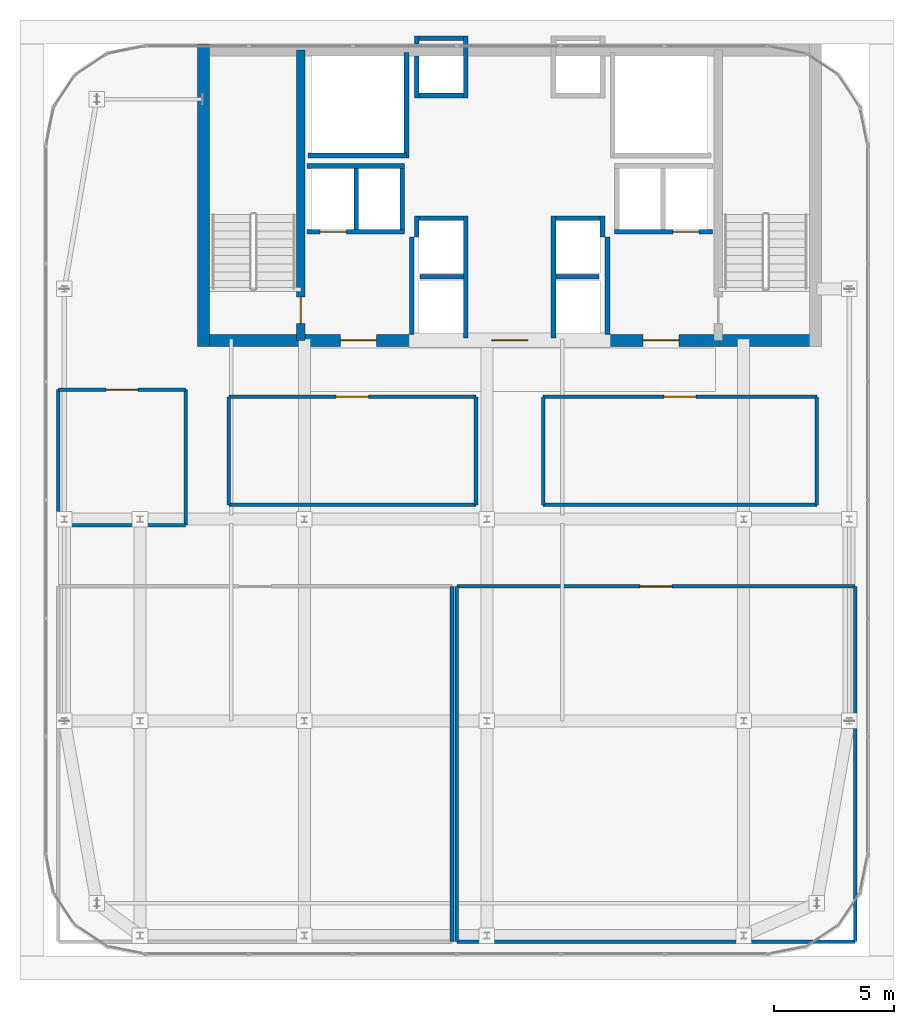
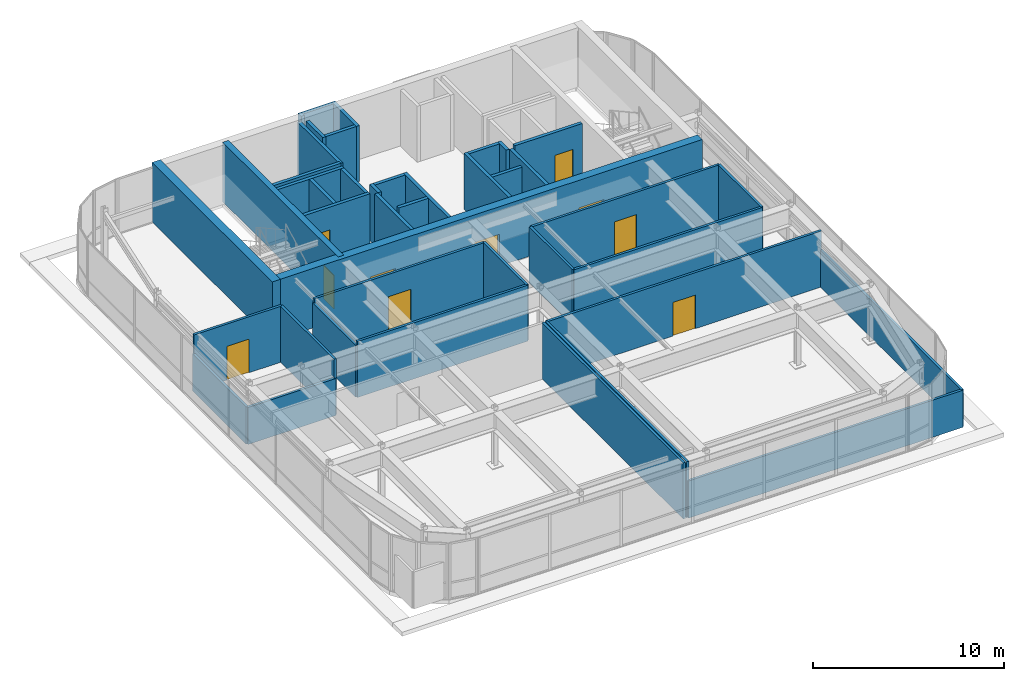
# One storey, part 33 of 35: 42 walls, 10 doors, 10 openings.
"""IFC4 building model written with IfcOpenShell, lengths in metres."""

from ifc_helpers import new_model, si_unit, direction, frame, frame_2d, origin, place, context, subcontext, project, spatial, rectangle, extrude, source, transform, mapped, material, layer, layer_set, type_object, type_shapes, element, fill, save


model = new_model("IFC4")

# Units and contexts
model_context = context("Model", 3, precision=1e-05, world=origin(), true_north=direction((0.0, 1.0)))
body_context = subcontext(model_context, "Body", "Model", "MODEL_VIEW")
ifc_project = project(units=[si_unit("LENGTHUNIT", "METRE"), si_unit("AREAUNIT", "SQUARE_METRE"), si_unit("VOLUMEUNIT", "CUBIC_METRE"), si_unit("PLANEANGLEUNIT", "RADIAN"), si_unit("MASSUNIT", "GRAM", prefix="KILO")], contexts=[model_context])

# Site, building, storey
site_placement = place(None, origin())
site = spatial("IfcSite", under=ifc_project, at=site_placement, CompositionType="ELEMENT")
building_placement = place(site_placement, origin())
building = spatial("IfcBuilding", under=site, at=building_placement, Name="Tolvann Quenvar Hotel", CompositionType="ELEMENT")
storey_placement = place(building_placement, frame((0.0, 0.0, 290.949951171875)))
storey = spatial("IfcBuildingStorey", under=building, at=storey_placement, Name="L77", CompositionType="ELEMENT", Elevation=290.949951171875)

# Wall, openings, doors
ifc_material_1 = material(Name="Concrete N50 (50 MPa)", Category="concrete")
ifc_layer_1 = layer(ifc_material_1, 0.5)
ifc_layer_set_1 = layer_set([ifc_layer_1], Name="Concrete N50 (50 MPa)")
wall_type_1 = type_object("IfcWallType", Name="WALL_CORE_500", PredefinedType="SHEAR", material=ifc_layer_set_1)
wall_1_placement = place(storey_placement, frame((10.0, 31.85009765625, 0.0), z_axis=(0.0, 0.0, 1.0), x_axis=(1.0, 0.0, 0.0)))
wall_1 = element("IfcWall", 1, at=wall_1_placement, inside=storey, type_object=wall_type_1, Name="Rear Core S Shear Wall (L77)", PredefinedType="SHEAR", context=body_context, shape_type="SweptSolid", body=[
    extrude(rectangle(XDim=26.0, YDim=0.5, at=frame_2d((13.0, 0.0))), origin(), (0.0, 0.0, 1.0), 3.800048828125),
])
opening_1_placement = place(wall_1_placement, frame((7.449951171875, 0.0, 0.0), z_axis=(0.0, 0.0, 1.0), x_axis=(-1.0, 0.0, 0.0)))
opening_1 = element("IfcOpeningElement", 2, at=opening_1_placement, cuts=wall_1, Name="Opening FD-60D", PredefinedType="OPENING", context=body_context, shape_type="SweptSolid", body=[
    extrude(rectangle(XDim=1.5, YDim=2.0400390625, at=frame_2d((0.75, 1.02001953125))), frame((0.0, 0.260009765625, 0.0), z_axis=(0.0, -1.0, 0.0), x_axis=(1.0, 0.0, 0.0)), (0.0, 0.0, 1.0), 0.52001953125),
])
opening_2_placement = place(wall_1_placement, frame((13.75, 0.0, 0.0), z_axis=(0.0, 0.0, 1.0), x_axis=(-1.0, 0.0, 0.0)))
opening_2 = element("IfcOpeningElement", 3, at=opening_2_placement, cuts=wall_1, Name="Opening FD-60D", PredefinedType="OPENING", context=body_context, shape_type="SweptSolid", body=[
    extrude(rectangle(XDim=1.5, YDim=2.0400390625, at=frame_2d((0.75, 1.02001953125))), frame((0.0, 0.260009765625, 0.0), z_axis=(0.0, -1.0, 0.0), x_axis=(1.0, 0.0, 0.0)), (0.0, 0.0, 1.0), 0.52001953125),
])
opening_3_placement = place(wall_1_placement, frame((20.050048828125, 0.0, 0.0), z_axis=(0.0, 0.0, 1.0), x_axis=(-1.0, 0.0, 0.0)))
opening_3 = element("IfcOpeningElement", 4, at=opening_3_placement, cuts=wall_1, Name="Opening FD-60D", PredefinedType="OPENING", context=body_context, shape_type="SweptSolid", body=[
    extrude(rectangle(XDim=1.5, YDim=2.0400390625, at=frame_2d((0.75, 1.02001953125))), frame((0.0, 0.260009765625, 0.0), z_axis=(0.0, -1.0, 0.0), x_axis=(1.0, 0.0, 0.0)), (0.0, 0.0, 1.0), 0.52001953125),
])
ifc_material_2 = material(Name="Solid-core American oak acoustic fire door leaf in steel frame", Category="steel")
door_type_1 = type_object("IfcDoorType", Name="DOOR_FIRE_LOBBY_1500", OperationType="NOTDEFINED", PredefinedType="DOOR", material=ifc_material_2)
shared_shape_1 = source(origin(), body_context, "Body", "SweptSolid", [
    extrude(rectangle(XDim=1.5, YDim=2.0400390625, at=frame_2d((0.75, 1.02001953125))), frame((0.0, 0.02490234375, 0.0), z_axis=(0.0, -1.0, 0.0), x_axis=(1.0, 0.0, 0.0)), (0.0, 0.0, 1.0), 0.050048828125),
])
type_shapes(door_type_1, [shared_shape_1])
door_1_placement = place(opening_1_placement, origin())
door_1 = element("IfcDoor", 5, at=door_1_placement, inside=storey, type_object=door_type_1, Name="Core Lobby Fire Door FFW (L77)", OperationType="DOUBLE_DOOR_SINGLE_SWING", OverallHeight=2.0400390625, OverallWidth=1.5, PredefinedType="DOOR", context=body_context, shape_type="MappedRepresentation", body=[
    mapped(shared_shape_1, transform((0.0, 0.0, 0.0), x_axis=(1.0, 0.0, 0.0), y_axis=(0.0, 1.0, 0.0), z_axis=(0.0, 0.0, 1.0), scale=1.0)),
])
fill(opening_1, door_1)
door_2_placement = place(opening_2_placement, origin())
door_2 = element("IfcDoor", 6, at=door_2_placement, inside=storey, type_object=door_type_1, Name="Core Lobby Fire Door CLOB (L77)", OperationType="DOUBLE_DOOR_SINGLE_SWING", OverallHeight=2.0400390625, OverallWidth=1.5, PredefinedType="DOOR", context=body_context, shape_type="MappedRepresentation", body=[
    mapped(shared_shape_1, transform((0.0, 0.0, 0.0), x_axis=(1.0, 0.0, 0.0), y_axis=(0.0, 1.0, 0.0), z_axis=(0.0, 0.0, 1.0), scale=1.0)),
])
fill(opening_2, door_2)
door_3_placement = place(opening_3_placement, origin())
door_3 = element("IfcDoor", 7, at=door_3_placement, inside=storey, type_object=door_type_1, Name="Core Lobby Fire Door FFE (L77)", OperationType="DOUBLE_DOOR_SINGLE_SWING", OverallHeight=2.0400390625, OverallWidth=1.5, PredefinedType="DOOR", context=body_context, shape_type="MappedRepresentation", body=[
    mapped(shared_shape_1, transform((0.0, 0.0, 0.0), x_axis=(1.0, 0.0, 0.0), y_axis=(0.0, 1.0, 0.0), z_axis=(0.0, 0.0, 1.0), scale=1.0)),
])
fill(opening_3, door_3)

# Wall
wall_2_placement = place(storey_placement, frame((10.25, 31.60009765625, 0.0), z_axis=(0.0, 0.0, 1.0), x_axis=(0.0, 1.0, 0.0)))
element("IfcWall", 8, at=wall_2_placement, inside=storey, type_object=wall_type_1, Name="Rear Core W Shear Wall (L77)", PredefinedType="SHEAR", context=body_context, shape_type="SweptSolid", body=[
    extrude(rectangle(XDim=12.599853515625, YDim=0.5, at=frame_2d((6.2998046875, 0.0))), origin(), (0.0, 0.0, 1.0), 3.800048828125),
])

# Wall, opening, door
ifc_material_3 = material(Name="Concrete S65 (65 MPa)", Category="concrete")
ifc_layer_2 = layer(ifc_material_3, 0.35009765625)
ifc_layer_set_2 = layer_set([ifc_layer_2], Name="Concrete S65 (65 MPa)")
wall_type_2 = type_object("IfcWallType", Name="WALL_CORE_INT_350", PredefinedType="SHEAR", material=ifc_layer_set_2)
wall_3_placement = place(storey_placement, frame((14.300048828125, 31.85009765625, 0.0), z_axis=(0.0, 0.0, 1.0), x_axis=(0.0, 1.0, 0.0)))
wall_3 = element("IfcWall", 9, at=wall_3_placement, inside=storey, type_object=wall_type_2, Name="Core Internal Web Shear Wall WEB-W (L77)", PredefinedType="SHEAR", context=body_context, shape_type="SweptSolid", body=[
    extrude(rectangle(XDim=12.099853515625, YDim=0.35009765625, at=frame_2d((6.0498046875, 0.0))), origin(), (0.0, 0.0, 1.0), 3.800048828125),
])
opening_4_placement = place(wall_3_placement, frame((0.699951171875, 0.0, 0.0)))
opening_4 = element("IfcOpeningElement", 10, at=opening_4_placement, cuts=wall_3, Name="Opening FD-120", PredefinedType="OPENING", context=body_context, shape_type="SweptSolid", body=[
    extrude(rectangle(XDim=1.10009765625, YDim=2.1201171875, at=frame_2d((0.550048828125, 1.06005859375))), frame((0.0, 0.18505859375, 0.0), z_axis=(0.0, -1.0, 0.0), x_axis=(1.0, 0.0, 0.0)), (0.0, 0.0, 1.0), 0.3701171875),
])
ifc_material_4 = material(Name="Pressed galvanised steel fire-rated door set", Category="steel")
door_type_2 = type_object("IfcDoorType", Name="DOOR_FIRE_STAIR_1100", OperationType="NOTDEFINED", PredefinedType="DOOR", material=ifc_material_4)
shared_shape_2 = source(origin(), body_context, "Body", "SweptSolid", [
    extrude(rectangle(XDim=1.10009765625, YDim=2.1201171875, at=frame_2d((0.550048828125, 1.06005859375))), frame((0.0, 0.02490234375, 0.0), z_axis=(0.0, -1.0, 0.0), x_axis=(1.0, 0.0, 0.0)), (0.0, 0.0, 1.0), 0.050048828125),
])
type_shapes(door_type_2, [shared_shape_2])
door_4_placement = place(opening_4_placement, origin())
door_4 = element("IfcDoor", 11, at=door_4_placement, inside=storey, type_object=door_type_2, Name="Exit Stair ST-C1 Fire Door (L77)", OperationType="SINGLE_SWING_LEFT", OverallHeight=2.1201171875, OverallWidth=1.10009765625, PredefinedType="DOOR", context=body_context, shape_type="MappedRepresentation", body=[
    mapped(shared_shape_2, transform((0.0, 0.0, 0.0), x_axis=(1.0, 0.0, 0.0), y_axis=(0.0, 1.0, 0.0), z_axis=(0.0, 0.0, 1.0), scale=1.0)),
])
fill(opening_4, door_4)

# Walls
ifc_material_5 = material(Name="Acoustic twin-stud fire-rated gypsum plasterboard partition")
ifc_layer_3 = layer(ifc_material_5, 0.14990234375)
ifc_layer_set_3 = layer_set([ifc_layer_3], Name="Acoustic twin-stud fire-rated gypsum plasterboard partition")
wall_type_3 = type_object("IfcWallType", Name="WALL_PART_SUITE_150", PredefinedType="PARTITIONING", material=ifc_layer_set_3)
wall_4_placement = place(storey_placement, frame((20.60009765625, 6.800048828125, 0.0), z_axis=(0.0, 0.0, 1.0), x_axis=(0.0, 1.0, 0.0)))
element("IfcWall", 12, at=wall_4_placement, inside=storey, type_object=wall_type_3, Name="Interior Partition PT-SPC-L77-CWCHIL-E", PredefinedType="PARTITIONING", context=body_context, shape_type="SweptSolid", body=[
    extrude(rectangle(XDim=14.800048828125, YDim=0.14990234375, at=frame_2d((7.39990234375, 0.0))), origin(), (0.0, 0.0, 1.0), 3.580078125),
])
wall_5_placement = place(storey_placement, frame((20.800048828125, 6.800048828125, 0.0), z_axis=(0.0, 0.0, 1.0), x_axis=(1.0, 0.0, 0.0)))
element("IfcWall", 13, at=wall_5_placement, inside=storey, type_object=wall_type_3, Name="Interior Partition PT-SPC-L77-LMR-S", PredefinedType="PARTITIONING", context=body_context, shape_type="SweptSolid", body=[
    extrude(rectangle(XDim=16.599853515625, YDim=0.14990234375, at=frame_2d((8.2998046875, 0.0))), origin(), (0.0, 0.0, 1.0), 2.3701171875),
])

# Wall, opening, door
wall_6_placement = place(storey_placement, frame((20.800048828125, 21.60009765625, 0.0), z_axis=(0.0, 0.0, 1.0), x_axis=(1.0, 0.0, 0.0)))
wall_6 = element("IfcWall", 14, at=wall_6_placement, inside=storey, type_object=wall_type_3, Name="Interior Partition PT-SPC-L77-LMR-N", PredefinedType="PARTITIONING", context=body_context, shape_type="SweptSolid", body=[
    extrude(rectangle(XDim=16.599853515625, YDim=0.14990234375, at=frame_2d((8.2998046875, 0.0))), origin(), (0.0, 0.0, 1.0), 3.580078125),
])
opening_5_placement = place(wall_6_placement, frame((7.625, 0.0, 0.0)))
opening_5 = element("IfcOpeningElement", 15, at=opening_5_placement, cuts=wall_6, Name="Opening PD-01", PredefinedType="OPENING", context=body_context, shape_type="SweptSolid", body=[
    extrude(rectangle(XDim=1.35009765625, YDim=2.14990234375, at=frame_2d((0.675048828125, 1.074951171875))), frame((0.0, 0.0849609375, 0.0), z_axis=(0.0, -1.0, 0.0), x_axis=(1.0, 0.0, 0.0)), (0.0, 0.0, 1.0), 0.169921875),
])
door_type_3 = type_object("IfcDoorType", Name="DOOR_PLANT_1350", OperationType="NOTDEFINED", PredefinedType="DOOR", material=ifc_material_4)
shared_shape_3 = source(origin(), body_context, "Body", "SweptSolid", [
    extrude(rectangle(XDim=1.35009765625, YDim=2.14990234375, at=frame_2d((0.675048828125, 1.074951171875))), frame((0.0, 0.02490234375, 0.0), z_axis=(0.0, -1.0, 0.0), x_axis=(1.0, 0.0, 0.0)), (0.0, 0.0, 1.0), 0.050048828125),
])
type_shapes(door_type_3, [shared_shape_3])
door_5_placement = place(opening_5_placement, origin())
door_5 = element("IfcDoor", 16, at=door_5_placement, inside=storey, type_object=door_type_3, Name="Interior Door DOOR-SPC-L77-LMR", OperationType="DOUBLE_DOOR_SINGLE_SWING", OverallHeight=2.14990234375, OverallWidth=1.35009765625, PredefinedType="DOOR", context=body_context, shape_type="MappedRepresentation", body=[
    mapped(shared_shape_3, transform((0.0, 0.0, 0.0), x_axis=(1.0, 0.0, 0.0), y_axis=(0.0, 1.0, 0.0), z_axis=(0.0, 0.0, 1.0), scale=1.0)),
])
fill(opening_5, door_5)

# Walls
wall_7_placement = place(storey_placement, frame((20.800048828125, 6.800048828125, 0.0), z_axis=(0.0, 0.0, 1.0), x_axis=(0.0, 1.0, 0.0)))
element("IfcWall", 17, at=wall_7_placement, inside=storey, type_object=wall_type_3, Name="Interior Partition PT-SPC-L77-LMR-W", PredefinedType="PARTITIONING", context=body_context, shape_type="SweptSolid", body=[
    extrude(rectangle(XDim=14.800048828125, YDim=0.14990234375, at=frame_2d((7.39990234375, 0.0))), origin(), (0.0, 0.0, 1.0), 3.580078125),
])
wall_8_placement = place(storey_placement, frame((37.39990234375, 6.800048828125, 0.0), z_axis=(0.0, 0.0, 1.0), x_axis=(0.0, 1.0, 0.0)))
element("IfcWall", 18, at=wall_8_placement, inside=storey, type_object=wall_type_3, Name="Interior Partition PT-SPC-L77-LMR-E", PredefinedType="PARTITIONING", context=body_context, shape_type="SweptSolid", body=[
    extrude(rectangle(XDim=14.800048828125, YDim=0.14990234375, at=frame_2d((7.39990234375, 0.0))), origin(), (0.0, 0.0, 1.0), 2.3701171875),
])
wall_9_placement = place(storey_placement, frame((4.199951171875, 24.14990234375, 0.0), z_axis=(0.0, 0.0, 1.0), x_axis=(1.0, 0.0, 0.0)))
element("IfcWall", 19, at=wall_9_placement, inside=storey, type_object=wall_type_3, Name="Interior Partition PT-SPC-L77-EXH-ENT", PredefinedType="PARTITIONING", context=body_context, shape_type="SweptSolid", body=[
    extrude(rectangle(XDim=5.300048828125, YDim=0.14990234375, at=frame_2d((2.64990234375, 0.0))), origin(), (0.0, 0.0, 1.0), 2.3701171875),
])

# Wall, opening, door
wall_10_placement = place(storey_placement, frame((4.199951171875, 29.800048828125, 0.0), z_axis=(0.0, 0.0, 1.0), x_axis=(1.0, 0.0, 0.0)))
wall_10 = element("IfcWall", 20, at=wall_10_placement, inside=storey, type_object=wall_type_3, Name="Interior Partition PT-SPC-L77-EXH-N", PredefinedType="PARTITIONING", context=body_context, shape_type="SweptSolid", body=[
    extrude(rectangle(XDim=5.300048828125, YDim=0.14990234375, at=frame_2d((2.64990234375, 0.0))), origin(), (0.0, 0.0, 1.0), 3.580078125),
])
opening_6_placement = place(wall_10_placement, frame((1.97509765625, 0.0, 0.0)))
opening_6 = element("IfcOpeningElement", 21, at=opening_6_placement, cuts=wall_10, Name="Opening PD-01", PredefinedType="OPENING", context=body_context, shape_type="SweptSolid", body=[
    extrude(rectangle(XDim=1.35009765625, YDim=2.14990234375, at=frame_2d((0.675048828125, 1.074951171875))), frame((0.0, 0.0849609375, 0.0), z_axis=(0.0, -1.0, 0.0), x_axis=(1.0, 0.0, 0.0)), (0.0, 0.0, 1.0), 0.169921875),
])
door_6_placement = place(opening_6_placement, origin())
door_6 = element("IfcDoor", 22, at=door_6_placement, inside=storey, type_object=door_type_3, Name="Interior Door DOOR-SPC-L77-EXH", OperationType="DOUBLE_DOOR_SINGLE_SWING", OverallHeight=2.14990234375, OverallWidth=1.35009765625, PredefinedType="DOOR", context=body_context, shape_type="MappedRepresentation", body=[
    mapped(shared_shape_3, transform((0.0, 0.0, 0.0), x_axis=(1.0, 0.0, 0.0), y_axis=(0.0, 1.0, 0.0), z_axis=(0.0, 0.0, 1.0), scale=1.0)),
])
fill(opening_6, door_6)

# Walls
wall_11_placement = place(storey_placement, frame((4.199951171875, 24.14990234375, 0.0), z_axis=(0.0, 0.0, 1.0), x_axis=(0.0, 1.0, 0.0)))
element("IfcWall", 23, at=wall_11_placement, inside=storey, type_object=wall_type_3, Name="Interior Partition PT-SPC-L77-EXH-W", PredefinedType="PARTITIONING", context=body_context, shape_type="SweptSolid", body=[
    extrude(rectangle(XDim=5.650146484375, YDim=0.14990234375, at=frame_2d((2.8251953125, 0.0))), origin(), (0.0, 0.0, 1.0), 2.3701171875),
])
wall_12_placement = place(storey_placement, frame((9.5, 24.14990234375, 0.0), z_axis=(0.0, 0.0, 1.0), x_axis=(0.0, 1.0, 0.0)))
element("IfcWall", 24, at=wall_12_placement, inside=storey, type_object=wall_type_3, Name="Interior Partition PT-SPC-L77-EXH-E", PredefinedType="PARTITIONING", context=body_context, shape_type="SweptSolid", body=[
    extrude(rectangle(XDim=5.650146484375, YDim=0.14990234375, at=frame_2d((2.8251953125, 0.0))), origin(), (0.0, 0.0, 1.0), 3.580078125),
])
wall_13_placement = place(storey_placement, frame((11.300048828125, 25.0, 0.0), z_axis=(0.0, 0.0, 1.0), x_axis=(1.0, 0.0, 0.0)))
element("IfcWall", 25, at=wall_13_placement, inside=storey, type_object=wall_type_3, Name="Interior Partition PT-SPC-L77-LDIM-S", PredefinedType="PARTITIONING", context=body_context, shape_type="SweptSolid", body=[
    extrude(rectangle(XDim=10.300048828125, YDim=0.14990234375, at=frame_2d((5.14990234375, 0.0))), origin(), (0.0, 0.0, 1.0), 3.580078125),
])

# Wall, opening, door
wall_14_placement = place(storey_placement, frame((11.300048828125, 29.5, 0.0), z_axis=(0.0, 0.0, 1.0), x_axis=(1.0, 0.0, 0.0)))
wall_14 = element("IfcWall", 26, at=wall_14_placement, inside=storey, type_object=wall_type_3, Name="Interior Partition PT-SPC-L77-LDIM-N", PredefinedType="PARTITIONING", context=body_context, shape_type="SweptSolid", body=[
    extrude(rectangle(XDim=10.300048828125, YDim=0.14990234375, at=frame_2d((5.14990234375, 0.0))), origin(), (0.0, 0.0, 1.0), 3.580078125),
])
opening_7_placement = place(wall_14_placement, frame((4.47509765625, 0.0, 0.0)))
opening_7 = element("IfcOpeningElement", 27, at=opening_7_placement, cuts=wall_14, Name="Opening PD-01", PredefinedType="OPENING", context=body_context, shape_type="SweptSolid", body=[
    extrude(rectangle(XDim=1.35009765625, YDim=2.14990234375, at=frame_2d((0.675048828125, 1.074951171875))), frame((0.0, 0.0849609375, 0.0), z_axis=(0.0, -1.0, 0.0), x_axis=(1.0, 0.0, 0.0)), (0.0, 0.0, 1.0), 0.169921875),
])
door_7_placement = place(opening_7_placement, origin())
door_7 = element("IfcDoor", 28, at=door_7_placement, inside=storey, type_object=door_type_3, Name="Interior Door DOOR-SPC-L77-LDIM", OperationType="DOUBLE_DOOR_SINGLE_SWING", OverallHeight=2.14990234375, OverallWidth=1.35009765625, PredefinedType="DOOR", context=body_context, shape_type="MappedRepresentation", body=[
    mapped(shared_shape_3, transform((0.0, 0.0, 0.0), x_axis=(1.0, 0.0, 0.0), y_axis=(0.0, 1.0, 0.0), z_axis=(0.0, 0.0, 1.0), scale=1.0)),
])
fill(opening_7, door_7)

# Walls
wall_15_placement = place(storey_placement, frame((11.300048828125, 25.0, 0.0), z_axis=(0.0, 0.0, 1.0), x_axis=(0.0, 1.0, 0.0)))
element("IfcWall", 29, at=wall_15_placement, inside=storey, type_object=wall_type_3, Name="Interior Partition PT-SPC-L77-LDIM-W", PredefinedType="PARTITIONING", context=body_context, shape_type="SweptSolid", body=[
    extrude(rectangle(XDim=4.5, YDim=0.14990234375, at=frame_2d((2.25, 0.0))), origin(), (0.0, 0.0, 1.0), 3.31396484375),
])
wall_16_placement = place(storey_placement, frame((21.60009765625, 25.0, 0.0), z_axis=(0.0, 0.0, 1.0), x_axis=(0.0, 1.0, 0.0)))
element("IfcWall", 30, at=wall_16_placement, inside=storey, type_object=wall_type_3, Name="Interior Partition PT-SPC-L77-LDIM-E", PredefinedType="PARTITIONING", context=body_context, shape_type="SweptSolid", body=[
    extrude(rectangle(XDim=4.5, YDim=0.14990234375, at=frame_2d((2.25, 0.0))), origin(), (0.0, 0.0, 1.0), 3.580078125),
])
wall_17_placement = place(storey_placement, frame((24.39990234375, 25.0, 0.0), z_axis=(0.0, 0.0, 1.0), x_axis=(1.0, 0.0, 0.0)))
element("IfcWall", 31, at=wall_17_placement, inside=storey, type_object=wall_type_3, Name="Interior Partition PT-SPC-L77-BMS-S", PredefinedType="PARTITIONING", context=body_context, shape_type="SweptSolid", body=[
    extrude(rectangle(XDim=11.400146484375, YDim=0.14990234375, at=frame_2d((5.7001953125, 0.0))), origin(), (0.0, 0.0, 1.0), 3.580078125),
])

# Wall, opening, door
wall_18_placement = place(storey_placement, frame((24.39990234375, 29.5, 0.0), z_axis=(0.0, 0.0, 1.0), x_axis=(1.0, 0.0, 0.0)))
wall_18 = element("IfcWall", 32, at=wall_18_placement, inside=storey, type_object=wall_type_3, Name="Interior Partition PT-SPC-L77-BMS-N", PredefinedType="PARTITIONING", context=body_context, shape_type="SweptSolid", body=[
    extrude(rectangle(XDim=11.400146484375, YDim=0.14990234375, at=frame_2d((5.7001953125, 0.0))), origin(), (0.0, 0.0, 1.0), 3.580078125),
])
opening_8_placement = place(wall_18_placement, frame((5.02490234375, 0.0, 0.0)))
opening_8 = element("IfcOpeningElement", 33, at=opening_8_placement, cuts=wall_18, Name="Opening PD-01", PredefinedType="OPENING", context=body_context, shape_type="SweptSolid", body=[
    extrude(rectangle(XDim=1.35009765625, YDim=2.14990234375, at=frame_2d((0.675048828125, 1.074951171875))), frame((0.0, 0.0849609375, 0.0), z_axis=(0.0, -1.0, 0.0), x_axis=(1.0, 0.0, 0.0)), (0.0, 0.0, 1.0), 0.169921875),
])
door_8_placement = place(opening_8_placement, origin())
door_8 = element("IfcDoor", 34, at=door_8_placement, inside=storey, type_object=door_type_3, Name="Interior Door DOOR-SPC-L77-BMS", OperationType="DOUBLE_DOOR_SINGLE_SWING", OverallHeight=2.14990234375, OverallWidth=1.35009765625, PredefinedType="DOOR", context=body_context, shape_type="MappedRepresentation", body=[
    mapped(shared_shape_3, transform((0.0, 0.0, 0.0), x_axis=(1.0, 0.0, 0.0), y_axis=(0.0, 1.0, 0.0), z_axis=(0.0, 0.0, 1.0), scale=1.0)),
])
fill(opening_8, door_8)

# Walls
for number, where, z_axis, x_axis, name in (
    (35, (24.39990234375, 25.0, 0.0), (0.0, 0.0, 1.0), (0.0, 1.0, 0.0), "Interior Partition PT-SPC-L77-BMS-W"),
    (36, (35.800048828125, 25.0, 0.0), (0.0, 0.0, 1.0), (0.0, 1.0, 0.0), "Interior Partition PT-SPC-L77-BMS-E"),
):
    element("IfcWall", number, at=place(storey_placement, frame(where, z_axis=z_axis, x_axis=x_axis)), inside=storey, type_object=wall_type_3, Name=name, PredefinedType="PARTITIONING", context=body_context, shape_type="SweptSolid", body=[
        extrude(rectangle(XDim=4.5, YDim=0.14990234375, at=frame_2d((2.25, 0.0))), origin(), (0.0, 0.0, 1.0), 3.580078125),
    ])
ifc_material_6 = material(Name="Concrete N40 (40 MPa)", Category="concrete")
ifc_layer_4 = layer(ifc_material_6, 0.199951171875)
ifc_layer_set_4 = layer_set([ifc_layer_4], Name="Concrete N40 (40 MPa)")
wall_type_4 = type_object("IfcWallType", Name="WALL_SHAFT_200", PredefinedType="SOLIDWALL", material=ifc_layer_set_4)
wall_19_placement = place(storey_placement, frame((18.699951171875, 39.449951171875, 0.0), z_axis=(0.0, 0.0, 1.0), x_axis=(0.0, 1.0, 0.0)))
element("IfcWall", 37, at=wall_19_placement, inside=storey, type_object=wall_type_4, Name="Service Riser W Shaft Wall IN (L77)", PredefinedType="SOLIDWALL", context=body_context, shape_type="SweptSolid", body=[
    extrude(rectangle(XDim=4.400146484375, YDim=0.199951171875, at=frame_2d((2.2001953125, 0.0))), origin(), (0.0, 0.0, 1.0), 3.580078125),
])
wall_20_placement = place(storey_placement, frame((14.60009765625, 39.550048828125, 0.0), z_axis=(0.0, 0.0, 1.0), x_axis=(1.0, 0.0, 0.0)))
element("IfcWall", 38, at=wall_20_placement, inside=storey, type_object=wall_type_4, Name="Service Riser W Shaft Wall S (L77)", PredefinedType="SOLIDWALL", context=body_context, shape_type="SweptSolid", body=[
    extrude(rectangle(XDim=4.099853515625, YDim=0.199951171875, at=frame_2d((2.0498046875, 0.0))), origin(), (0.0, 0.0, 1.0), 3.580078125),
])
for number, where, z_axis, x_axis, name in (
    (39, (18.919921875, 32.10400390625, 0.0), (0.0, 0.0, 1.0), (0.0, 1.0, 0.0), "Firefighting Lobby W Inner Fire Wall (L77)"),
    (40, (27.080078125, 32.10400390625, 0.0), (0.0, 0.0, 1.0), (0.0, 1.0, 0.0), "Firefighting Lobby E Inner Fire Wall (L77)"),
):
    element("IfcWall", number, at=place(storey_placement, frame(where, z_axis=z_axis, x_axis=x_axis)), inside=storey, type_object=wall_type_4, Name=name, PredefinedType="SOLIDWALL", context=body_context, shape_type="SweptSolid", body=[
        extrude(rectangle(XDim=4.0458984375, YDim=0.199951171875, at=frame_2d((2.02294921875, 0.0))), origin(), (0.0, 0.0, 1.0), 3.580078125),
    ])
wall_21_placement = place(storey_placement, frame((21.169921875, 31.9599609375, 0.0), z_axis=(0.0, 0.0, 1.0), x_axis=(0.0, 1.0, 0.0)))
element("IfcWall", 41, at=wall_21_placement, inside=storey, type_object=wall_type_4, Name="Lift Bank E21.1C1 Hoistway Front Wall (L77)", PredefinedType="SOLIDWALL", context=body_context, shape_type="SweptSolid", body=[
    extrude(rectangle(XDim=5.080078125, YDim=0.199951171875, at=frame_2d((2.5400390625, 0.0))), origin(), (0.0, 0.0, 1.0), 3.580078125),
])
wall_22_placement = place(storey_placement, frame((19.1298828125, 36.159912109375, 0.0), z_axis=(0.0, 0.0, 1.0), x_axis=(0.0, 1.0, 0.0)))
element("IfcWall", 42, at=wall_22_placement, inside=storey, type_object=wall_type_4, Name="Lift Bank E21.1C1 Hoistway Rear Wall (L77)", PredefinedType="SOLIDWALL", context=body_context, shape_type="SweptSolid", body=[
    extrude(rectangle(XDim=0.880126953125, YDim=0.199951171875, at=frame_2d((0.43994140625, 0.0))), origin(), (0.0, 0.0, 1.0), 3.580078125),
])
wall_23_placement = place(storey_placement, frame((19.22998046875, 36.93994140625, 0.0), z_axis=(0.0, 0.0, 1.0), x_axis=(1.0, 0.0, 0.0)))
element("IfcWall", 43, at=wall_23_placement, inside=storey, type_object=wall_type_4, Name="Lift Bank E21.1C1 Hoistway Cheek Wall 2 (L77)", PredefinedType="SOLIDWALL", context=body_context, shape_type="SweptSolid", body=[
    extrude(rectangle(XDim=1.840087890625, YDim=0.199951171875, at=frame_2d((0.919921875, 0.0))), origin(), (0.0, 0.0, 1.0), 3.580078125),
])
wall_24_placement = place(storey_placement, frame((19.27001953125, 34.5, 0.0), z_axis=(0.0, 0.0, 1.0), x_axis=(1.0, 0.0, 0.0)))
element("IfcWall", 44, at=wall_24_placement, inside=storey, type_object=wall_type_4, Name="Lift Bank E21.1C1 Divider Wall 1 (L77)", PredefinedType="SOLIDWALL", context=body_context, shape_type="SweptSolid", body=[
    extrude(rectangle(XDim=1.800048828125, YDim=0.199951171875, at=frame_2d((0.89990234375, 0.0))), origin(), (0.0, 0.0, 1.0), 3.580078125),
])
wall_25_placement = place(storey_placement, frame((21.169921875, 41.9599609375, 0.0), z_axis=(0.0, 0.0, 1.0), x_axis=(0.0, 1.0, 0.0)))
element("IfcWall", 45, at=wall_25_placement, inside=storey, type_object=wall_type_4, Name="Lift Bank E21.1C2 Hoistway Front Wall (L77)", PredefinedType="SOLIDWALL", context=body_context, shape_type="SweptSolid", body=[
    extrude(rectangle(XDim=2.580078125, YDim=0.199951171875, at=frame_2d((1.2900390625, 0.0))), origin(), (0.0, 0.0, 1.0), 3.580078125),
])
wall_26_placement = place(storey_placement, frame((19.1298828125, 41.9599609375, 0.0), z_axis=(0.0, 0.0, 1.0), x_axis=(0.0, 1.0, 0.0)))
element("IfcWall", 46, at=wall_26_placement, inside=storey, type_object=wall_type_4, Name="Lift Bank E21.1C2 Hoistway Rear Wall (L77)", PredefinedType="SOLIDWALL", context=body_context, shape_type="SweptSolid", body=[
    extrude(rectangle(XDim=1.736083984375, YDim=0.199951171875, at=frame_2d((0.8681640625, 0.0))), origin(), (0.0, 0.0, 1.0), 3.580078125),
])
wall_27_placement = place(storey_placement, frame((19.1298828125, 44.2041015625, 0.0), z_axis=(0.0, 0.0, 1.0), x_axis=(0.0, 1.0, 0.0)))
element("IfcWall", 47, at=wall_27_placement, inside=storey, type_object=wall_type_4, Name="Lift Bank E21.1C2 Hoistway Rear Wall (L77)", PredefinedType="SOLIDWALL", context=body_context, shape_type="SweptSolid", body=[
    extrude(rectangle(XDim=0.3359375, YDim=0.199951171875, at=frame_2d((0.16796875, 0.0))), origin(), (0.0, 0.0, 1.0), 3.580078125),
])
for number, where, z_axis, x_axis, name in (
    (48, (19.22998046875, 42.06005859375, 0.0), (0.0, 0.0, 1.0), (1.0, 0.0, 0.0), "Lift Bank E21.1C2 Hoistway Cheek Wall 1 (L77)"),
    (49, (19.22998046875, 44.43994140625, 0.0), (0.0, 0.0, 1.0), (1.0, 0.0, 0.0), "Lift Bank E21.1C2 Hoistway Cheek Wall 2 (L77)"),
):
    element("IfcWall", number, at=place(storey_placement, frame(where, z_axis=z_axis, x_axis=x_axis)), inside=storey, type_object=wall_type_4, Name=name, PredefinedType="SOLIDWALL", context=body_context, shape_type="SweptSolid", body=[
        extrude(rectangle(XDim=1.840087890625, YDim=0.199951171875, at=frame_2d((0.919921875, 0.0))), origin(), (0.0, 0.0, 1.0), 3.580078125),
    ])

# Wall, opening, door
wall_28_placement = place(storey_placement, frame((27.375, 36.3798828125, 0.0), z_axis=(0.0, 0.0, 1.0), x_axis=(1.0, 0.0, 0.0)))
wall_28 = element("IfcWall", 50, at=wall_28_placement, inside=storey, type_object=wall_type_4, Name="Lift Bank SEC1 Hoistway Front Wall (L77)", PredefinedType="SOLIDWALL", context=body_context, shape_type="SweptSolid", body=[
    extrude(rectangle(XDim=4.074951171875, YDim=0.199951171875, at=frame_2d((2.03759765625, 0.0))), origin(), (0.0, 0.0, 1.0), 3.580078125),
])
opening_9_placement = place(wall_28_placement, frame((2.425048828125, 0.0, 0.0)))
opening_9 = element("IfcOpeningElement", 51, at=opening_9_placement, cuts=wall_28, Name="Opening LD-01", PredefinedType="OPENING", context=body_context, shape_type="SweptSolid", body=[
    extrude(rectangle(XDim=1.10009765625, YDim=2.1201171875, at=frame_2d((0.550048828125, 1.06005859375))), frame((0.0, 0.10986328125, 0.0), z_axis=(0.0, -1.0, 0.0), x_axis=(1.0, 0.0, 0.0)), (0.0, 0.0, 1.0), 0.219970703125),
])
ifc_material_7 = material(Name="Brushed 316 stainless steel automatic sliding lift landing door", Category="steel")
door_type_4 = type_object("IfcDoorType", Name="DOOR_LIFT_SLIDE_1100", OperationType="NOTDEFINED", PredefinedType="DOOR", material=ifc_material_7)
shared_shape_4 = source(origin(), body_context, "Body", "SweptSolid", [
    extrude(rectangle(XDim=1.10009765625, YDim=2.1201171875, at=frame_2d((0.550048828125, 1.06005859375))), frame((0.0, 0.02490234375, 0.0), z_axis=(0.0, -1.0, 0.0), x_axis=(1.0, 0.0, 0.0)), (0.0, 0.0, 1.0), 0.050048828125),
])
type_shapes(door_type_4, [shared_shape_4])
door_9_placement = place(opening_9_placement, origin())
door_9 = element("IfcDoor", 52, at=door_9_placement, inside=storey, type_object=door_type_4, Name="Lift FF-2 Sliding Landing Door (L77)", OperationType="SLIDING_TO_RIGHT", OverallHeight=2.1201171875, OverallWidth=1.10009765625, PredefinedType="DOOR", context=body_context, shape_type="MappedRepresentation", body=[
    mapped(shared_shape_4, transform((0.0, 0.0, 0.0), x_axis=(1.0, 0.0, 0.0), y_axis=(0.0, 1.0, 0.0), z_axis=(0.0, 0.0, 1.0), scale=1.0)),
])
fill(opening_9, door_9)

wall_29_placement = place(storey_placement, frame((14.550048828125, 36.3798828125, 0.0), z_axis=(0.0, 0.0, 1.0), x_axis=(1.0, 0.0, 0.0)))
wall_29 = element("IfcWall", 53, at=wall_29_placement, inside=storey, type_object=wall_type_4, Name="Lift Bank SWC1 Hoistway Front Wall (L77)", PredefinedType="SOLIDWALL", context=body_context, shape_type="SweptSolid", body=[
    extrude(rectangle(XDim=4.074951171875, YDim=0.199951171875, at=frame_2d((2.03759765625, 0.0))), origin(), (0.0, 0.0, 1.0), 3.580078125),
])
opening_10_placement = place(wall_29_placement, frame((0.550048828125, 0.0, 0.0)))
opening_10 = element("IfcOpeningElement", 54, at=opening_10_placement, cuts=wall_29, Name="Opening LD-01", PredefinedType="OPENING", context=body_context, shape_type="SweptSolid", body=[
    extrude(rectangle(XDim=1.10009765625, YDim=2.1201171875, at=frame_2d((0.550048828125, 1.06005859375))), frame((0.0, 0.10986328125, 0.0), z_axis=(0.0, -1.0, 0.0), x_axis=(1.0, 0.0, 0.0)), (0.0, 0.0, 1.0), 0.219970703125),
])
door_10_placement = place(opening_10_placement, origin())
door_10 = element("IfcDoor", 55, at=door_10_placement, inside=storey, type_object=door_type_4, Name="Lift FF-1 Sliding Landing Door (L77)", OperationType="SLIDING_TO_LEFT", OverallHeight=2.1201171875, OverallWidth=1.10009765625, PredefinedType="DOOR", context=body_context, shape_type="MappedRepresentation", body=[
    mapped(shared_shape_4, transform((0.0, 0.0, 0.0), x_axis=(1.0, 0.0, 0.0), y_axis=(0.0, 1.0, 0.0), z_axis=(0.0, 0.0, 1.0), scale=1.0)),
])
fill(opening_10, door_10)

# Walls
wall_30_placement = place(storey_placement, frame((14.550048828125, 39.1201171875, 0.0), z_axis=(0.0, 0.0, 1.0), x_axis=(1.0, 0.0, 0.0)))
element("IfcWall", 56, at=wall_30_placement, inside=storey, type_object=wall_type_4, Name="Lift Bank SWC1 Hoistway Rear Wall (L77)", PredefinedType="SOLIDWALL", context=body_context, shape_type="SweptSolid", body=[
    extrude(rectangle(XDim=4.074951171875, YDim=0.199951171875, at=frame_2d((2.03759765625, 0.0))), origin(), (0.0, 0.0, 1.0), 3.580078125),
])
for number, where, z_axis, x_axis, name in (
    (57, (18.52490234375, 36.47998046875, 0.0), (0.0, 0.0, 1.0), (0.0, 1.0, 0.0), "Lift Bank SWC1 Hoistway Cheek Wall 2 (L77)"),
    (58, (16.612548828125, 36.47998046875, 0.0), (0.0, 0.0, 1.0), (0.0, 1.0, 0.0), "Lift Bank SWC1 Divider Wall 1 (L77)"),
):
    element("IfcWall", number, at=place(storey_placement, frame(where, z_axis=z_axis, x_axis=x_axis)), inside=storey, type_object=wall_type_4, Name=name, PredefinedType="SOLIDWALL", context=body_context, shape_type="SweptSolid", body=[
        extrude(rectangle(XDim=2.5400390625, YDim=0.199951171875, at=frame_2d((1.27001953125, 0.0))), origin(), (0.0, 0.0, 1.0), 3.580078125),
    ])
wall_31_placement = place(storey_placement, frame((24.830078125, 31.9599609375, 0.0), z_axis=(0.0, 0.0, 1.0), x_axis=(0.0, 1.0, 0.0)))
element("IfcWall", 59, at=wall_31_placement, inside=storey, type_object=wall_type_4, Name="Lift Bank W24.9C1 Hoistway Front Wall (L77)", PredefinedType="SOLIDWALL", context=body_context, shape_type="SweptSolid", body=[
    extrude(rectangle(XDim=5.080078125, YDim=0.199951171875, at=frame_2d((2.5400390625, 0.0))), origin(), (0.0, 0.0, 1.0), 3.580078125),
])
wall_32_placement = place(storey_placement, frame((26.8701171875, 36.159912109375, 0.0), z_axis=(0.0, 0.0, 1.0), x_axis=(0.0, 1.0, 0.0)))
element("IfcWall", 60, at=wall_32_placement, inside=storey, type_object=wall_type_4, Name="Lift Bank W24.9C1 Hoistway Rear Wall (L77)", PredefinedType="SOLIDWALL", context=body_context, shape_type="SweptSolid", body=[
    extrude(rectangle(XDim=0.880126953125, YDim=0.199951171875, at=frame_2d((0.43994140625, 0.0))), origin(), (0.0, 0.0, 1.0), 3.580078125),
])
wall_33_placement = place(storey_placement, frame((24.929931640625, 36.93994140625, 0.0), z_axis=(0.0, 0.0, 1.0), x_axis=(1.0, 0.0, 0.0)))
element("IfcWall", 61, at=wall_33_placement, inside=storey, type_object=wall_type_4, Name="Lift Bank W24.9C1 Hoistway Cheek Wall 2 (L77)", PredefinedType="SOLIDWALL", context=body_context, shape_type="SweptSolid", body=[
    extrude(rectangle(XDim=1.840087890625, YDim=0.199951171875, at=frame_2d((0.919921875, 0.0))), origin(), (0.0, 0.0, 1.0), 3.580078125),
])
wall_34_placement = place(storey_placement, frame((24.929931640625, 34.5, 0.0), z_axis=(0.0, 0.0, 1.0), x_axis=(1.0, 0.0, 0.0)))
element("IfcWall", 62, at=wall_34_placement, inside=storey, type_object=wall_type_4, Name="Lift Bank W24.9C1 Divider Wall 1 (L77)", PredefinedType="SOLIDWALL", context=body_context, shape_type="SweptSolid", body=[
    extrude(rectangle(XDim=1.800048828125, YDim=0.199951171875, at=frame_2d((0.89990234375, 0.0))), origin(), (0.0, 0.0, 1.0), 3.580078125),
])

save(model, "model.ifc")
